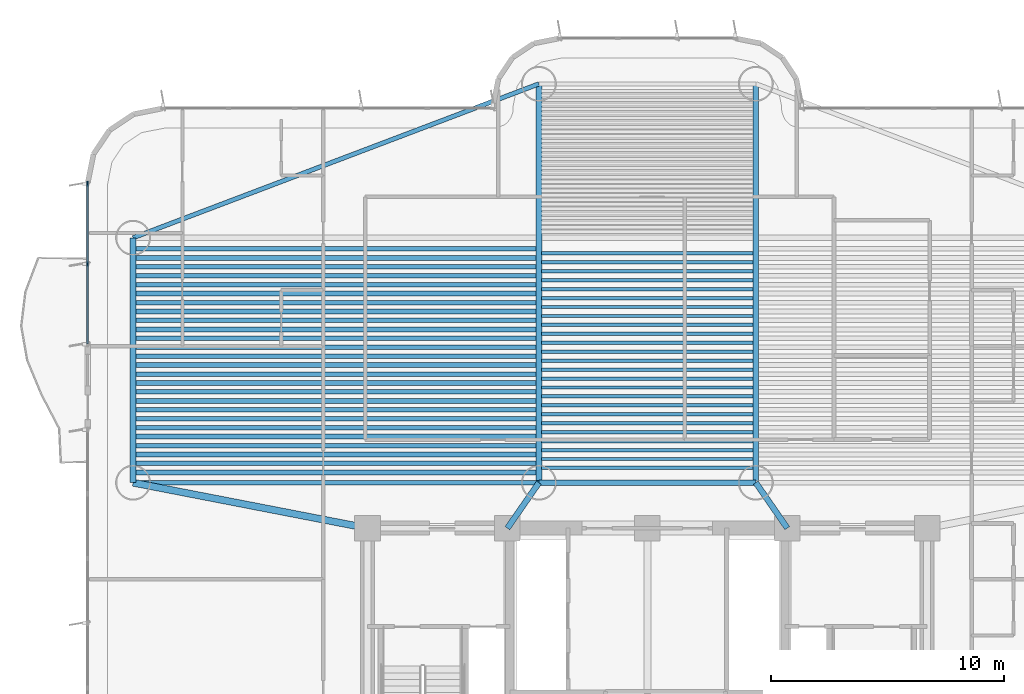
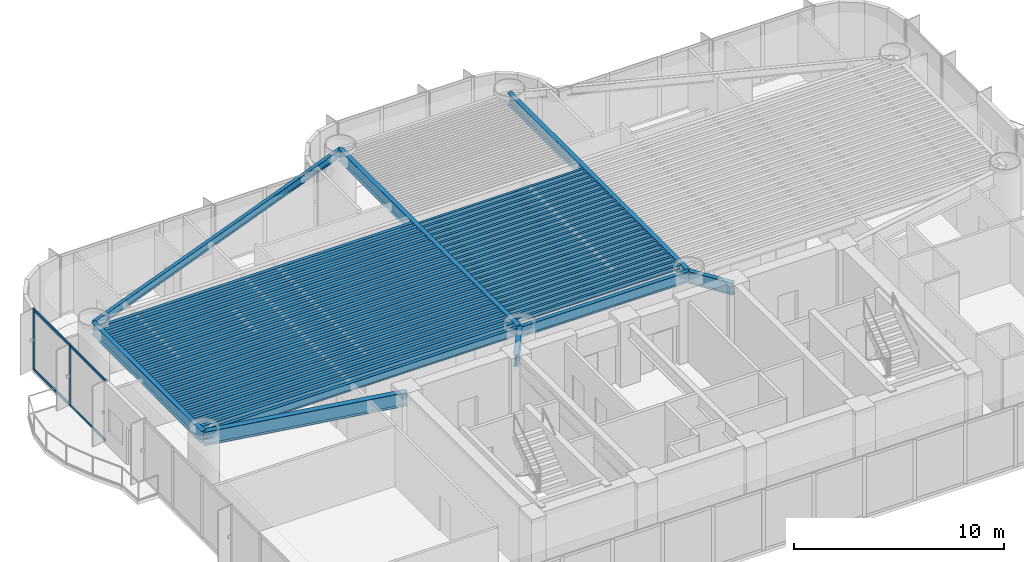
# One storey, part 3 of 18: 60 beams, 6 members, 1 element without a shape of its own.
"""IFC4 building model written with IfcOpenShell, lengths in metres."""

import ifcopenshell
import ifcopenshell.guid

model = None  # the IFC model being written
_history = None  # IfcOwnerHistory: only IFC2X3 demands one
_inside = {}  # id of a spatial element -> (the spatial element, [elements in it])
_under = {}  # id of a project, library or spatial element -> (it, [spatial elements below it])
_declared = {}  # id of a project -> (the project, [libraries it declares])
_typed = {}  # id of a type object -> (the type object, [elements of that type])
_made_of = {}  # id of a material, layer set ... -> (it, [elements and type objects made of it])


def new_model(schema):
    """Start an empty IFC model of exactly this schema.

    Asked for "IFC4X3", IfcOpenShell would pick the latest addendum, in which some entities
    have other attributes; the version numbers below select the first issue.
    IFC2X3 requires an IfcOwnerHistory on every rooted entity: one is made here for all.
    """
    global model, _history
    if schema == "IFC4X3":
        model = ifcopenshell.file(schema_version=(4, 3, 0, 0))
    else:
        model = ifcopenshell.file(schema=schema)
    _inside.clear()
    _under.clear()
    _declared.clear()
    _typed.clear()
    _made_of.clear()
    _history = None
    if model.schema == "IFC2X3":
        org = make("IfcOrganization", Name="unknown")
        user = make(
            "IfcPersonAndOrganization",
            ThePerson=make("IfcPerson", FamilyName="unknown"),
            TheOrganization=org,
        )
        app = make(
            "IfcApplication",
            ApplicationDeveloper=org,
            Version="unknown",
            ApplicationFullName="unknown",
            ApplicationIdentifier="unknown",
        )
        _history = make(
            "IfcOwnerHistory",
            OwningUser=user,
            OwningApplication=app,
            ChangeAction="ADDED",
            CreationDate=0,
        )
    return model


def make(cls, **values):
    """One entity of the class cls with the attributes given. An attribute that is None is left unset."""
    return model.create_entity(
        cls, **{name: value for name, value in values.items() if value is not None}
    )


def rooted(cls, **values):
    """An entity with a GlobalId (a new one), such as an element, a storey or a relation."""
    return make(cls, GlobalId=ifcopenshell.guid.new(), OwnerHistory=_history, **values)


def si_unit(unit_type, name, prefix=None):
    """IfcSIUnit, for example si_unit("LENGTHUNIT", "METRE", prefix="MILLI")."""
    return make("IfcSIUnit", UnitType=unit_type, Prefix=prefix, Name=name)


def assignment(units):
    """IfcUnitAssignment: the units of a project."""
    return None if units is None else make("IfcUnitAssignment", Units=units)


def point(xyz):
    """IfcCartesianPoint."""
    return None if xyz is None else make("IfcCartesianPoint", Coordinates=xyz)


def direction(xyz):
    """IfcDirection."""
    return None if xyz is None else make("IfcDirection", DirectionRatios=xyz)


def frame(location, z_axis=None, x_axis=None):
    """IfcAxis2Placement3D, a coordinate frame: its origin and axes. An axis left out is left unset."""
    return make(
        "IfcAxis2Placement3D",
        Location=point(location),
        Axis=direction(z_axis),
        RefDirection=direction(x_axis),
    )


def frame_2d(location, x_axis=None):
    """IfcAxis2Placement2D, a coordinate frame in the plane: its origin and x axis."""
    return make(
        "IfcAxis2Placement2D", Location=point(location), RefDirection=direction(x_axis)
    )


def origin():
    """The frame at (0, 0, 0) with its axes left unset."""
    return frame((0.0, 0.0, 0.0))


def origin_2d():
    """The frame at (0, 0) in the plane with its x axis left unset."""
    return frame_2d((0.0, 0.0))


def place(relative_to, where):
    """IfcLocalPlacement: puts the frame where relative to a parent placement (None: the world)."""
    return make(
        "IfcLocalPlacement", PlacementRelTo=relative_to, RelativePlacement=where
    )


def context(
    kind, dimensions, precision=None, world=None, true_north=None, identifier=None
):
    """IfcGeometricRepresentationContext, for example the 3D "Model" context."""
    return make(
        "IfcGeometricRepresentationContext",
        ContextIdentifier=identifier,
        ContextType=kind,
        CoordinateSpaceDimension=dimensions,
        Precision=precision,
        WorldCoordinateSystem=world,
        TrueNorth=true_north,
    )


def subcontext(parent, identifier, kind, view, scale=None):
    """IfcGeometricRepresentationSubContext, for example "Body" below "Model"."""
    return make(
        "IfcGeometricRepresentationSubContext",
        ContextIdentifier=identifier,
        ContextType=kind,
        ParentContext=parent,
        TargetScale=scale,
        TargetView=view,
    )


def project(units=None, contexts=None):
    """IfcProject with its units and contexts."""
    return rooted(
        "IfcProject",
        Name="project",
        RepresentationContexts=contexts,
        UnitsInContext=assignment(units),
    )


def spatial(cls, under=None, at=None, **own):
    """A site, building, storey or space (cls), placed at a placement, below another one or the project."""
    s = rooted(cls, ObjectPlacement=at, **own)
    if under is not None:
        _under.setdefault(under.id(), (under, []))[1].append(s)
    return s


def profile(cls, at=None, kind="AREA", **sizes):
    """A parametric profile (cls). Its sizes go by their IFC names, for example OverallWidth=200.0."""
    return make(cls, ProfileType=kind, Position=at, **sizes)


def rectangle(**sizes):
    """IfcRectangleProfileDef."""
    return profile("IfcRectangleProfileDef", **sizes)


def i_section(**sizes):
    """IfcIShapeProfileDef."""
    return profile("IfcIShapeProfileDef", **sizes)


def extrude(swept, where, along, depth):
    """IfcExtrudedAreaSolid: the profile swept, set in the frame where, extruded along a direction by depth."""
    return make(
        "IfcExtrudedAreaSolid",
        SweptArea=swept,
        Position=where,
        ExtrudedDirection=direction(along),
        Depth=depth,
    )


def shape(context_of_items, identifier, shape_type, items):
    """IfcShapeRepresentation: the items that make up one representation, for example the "Body"."""
    return make(
        "IfcShapeRepresentation",
        ContextOfItems=context_of_items,
        RepresentationIdentifier=identifier,
        RepresentationType=shape_type,
        Items=items,
    )


def source(mapping_origin, context_of_items, identifier, shape_type, items):
    """IfcRepresentationMap: a shape defined once, which mapped items show again and again."""
    return make(
        "IfcRepresentationMap",
        MappingOrigin=mapping_origin,
        MappedRepresentation=shape(context_of_items, identifier, shape_type, items),
    )


def transform(
    local_origin,
    x_axis=None,
    y_axis=None,
    z_axis=None,
    scale=None,
    scale2=None,
    scale3=None,
    uniform=True,
):
    """IfcCartesianTransformationOperator3D, or its non-uniform kind. x_axis, y_axis, z_axis: its Axis1, 2, 3."""
    if uniform:
        return make(
            "IfcCartesianTransformationOperator3D",
            Axis1=direction(x_axis),
            Axis2=direction(y_axis),
            LocalOrigin=point(local_origin),
            Scale=scale,
            Axis3=direction(z_axis),
        )
    return make(
        "IfcCartesianTransformationOperator3DnonUniform",
        Axis1=direction(x_axis),
        Axis2=direction(y_axis),
        LocalOrigin=point(local_origin),
        Scale=scale,
        Axis3=direction(z_axis),
        Scale2=scale2,
        Scale3=scale3,
    )


def mapped(mapping_source, mapping_target):
    """IfcMappedItem: shows the shape of a source again, moved by a transform."""
    return make(
        "IfcMappedItem", MappingSource=mapping_source, MappingTarget=mapping_target
    )


def material(Name=None, Category=None):
    """IfcMaterial."""
    return make("IfcMaterial", Name=Name, Category=Category)


def layer(
    of_material, thickness, ventilated=None, Name=None, Category=None, Priority=None
):
    """IfcMaterialLayer: one layer of a wall or slab, of a material (None: an air gap)."""
    return make(
        "IfcMaterialLayer",
        Material=of_material,
        LayerThickness=thickness,
        IsVentilated=ventilated,
        Name=Name,
        Category=Category,
        Priority=Priority,
    )


def layer_set(layers, Name=None):
    """IfcMaterialLayerSet."""
    return make("IfcMaterialLayerSet", MaterialLayers=layers, LayerSetName=Name)


def material_profile(
    of_material, cross_section, Name=None, Category=None, Priority=None
):
    """IfcMaterialProfile: a cross section and its material."""
    return make(
        "IfcMaterialProfile",
        Name=Name,
        Material=of_material,
        Profile=cross_section,
        Priority=Priority,
        Category=Category,
    )


def profile_set(profiles, Name=None, composite=None):
    """IfcMaterialProfileSet."""
    return make(
        "IfcMaterialProfileSet",
        Name=Name,
        MaterialProfiles=profiles,
        CompositeProfile=composite,
    )


def made_of(thing, what):
    """Note that an element or type object is made of a material, layer set ...; save() writes the relation."""
    if what is not None:
        _made_of.setdefault(what.id(), (what, []))[1].append(thing)
    return thing


def type_object(cls, material=None, **own):
    """A type object (cls), such as IfcWallType, which elements share."""
    return made_of(rooted(cls, **own), material)


def element(
    cls,
    number,
    at=None,
    inside=None,
    cuts=None,
    type_object=None,
    material=None,
    context=None,
    identifier="Body",
    shape_type=None,
    held_by="IfcProductDefinitionShape",
    body=None,
    shapes=None,
    **own,
):
    """One element of the class cls, such as IfcWall. Its Tag is "e" and its number.

    at: its placement. inside: the storey or other place that contains it. cuts: it is an
    opening in that element (IfcRelVoidsElement). A single representation is given by context,
    identifier, shape_type and body (its items); several are given by shapes. held_by: the class
    of the entity that holds the representations. save() writes the other relations.
    """
    e = rooted(cls, Tag="e%d" % number, ObjectPlacement=at, **own)
    if body is not None:
        shapes = [shape(context, identifier, shape_type, body)]
    if shapes is not None:
        e.Representation = make(held_by, Representations=shapes)
    if inside is not None:
        _inside.setdefault(inside.id(), (inside, []))[1].append(e)
    if cuts is not None:
        rooted(
            "IfcRelVoidsElement", RelatingBuildingElement=cuts, RelatedOpeningElement=e
        )
    if type_object is not None:
        _typed.setdefault(type_object.id(), (type_object, []))[1].append(e)
    return made_of(e, material)


def aggregate(whole, parts):
    """IfcRelAggregates: a whole, such as a stair, and the parts it consists of."""
    return rooted("IfcRelAggregates", RelatingObject=whole, RelatedObjects=parts)


def save(model, path):
    """Write the relations noted so far, then the file.

    IfcRelAggregates (storeys below a building ...), IfcRelContainedInSpatialStructure (elements
    in a storey), IfcRelDefinesByType, IfcRelAssociatesMaterial and IfcRelDeclares: one each for
    every whole, place, type object, material and project.
    """
    for whole, parts in _under.values():
        aggregate(whole, parts)
    for where, things in _inside.values():
        rooted(
            "IfcRelContainedInSpatialStructure",
            RelatedElements=things,
            RelatingStructure=where,
        )
    for kind, things in _typed.values():
        rooted("IfcRelDefinesByType", RelatedObjects=things, RelatingType=kind)
    for what, things in _made_of.values():
        rooted("IfcRelAssociatesMaterial", RelatedObjects=things, RelatingMaterial=what)
    for by, libraries in _declared.values():
        rooted("IfcRelDeclares", RelatingContext=by, RelatedDefinitions=libraries)
    model.write(path)


model = new_model("IFC4")

# Units and contexts
model_context = context("Model", 3, precision=1e-05, world=origin(), true_north=direction((0.0, 1.0)))
body_context = subcontext(model_context, "Body", "Model", "MODEL_VIEW")
ifc_project = project(units=[si_unit("LENGTHUNIT", "METRE"), si_unit("AREAUNIT", "SQUARE_METRE"), si_unit("VOLUMEUNIT", "CUBIC_METRE"), si_unit("PLANEANGLEUNIT", "RADIAN"), si_unit("MASSUNIT", "GRAM", prefix="KILO")], contexts=[model_context])

# Site, building, storey
site_placement = place(None, origin())
site = spatial("IfcSite", under=ifc_project, at=site_placement, CompositionType="ELEMENT")
building_placement = place(site_placement, origin())
building = spatial("IfcBuilding", under=site, at=building_placement, Name="Brelvock Crest Care Tower", CompositionType="ELEMENT")
storey_placement = place(building_placement, frame((0.0, 0.0, 72.360107421875)))
storey = spatial("IfcBuildingStorey", under=building, at=storey_placement, Name="L18", CompositionType="ELEMENT", Elevation=72.360107421875)

# Beams
ifc_material_1 = material(Name="Steel Grade 350", Category="steel")
ifc_material_profile_1 = material_profile(ifc_material_1, i_section(OverallWidth=0.25, OverallDepth=0.699951171875, WebThickness=0.011962890625, FlangeThickness=0.02001953125, at=origin_2d()), Name="700WB150")
ifc_profile_set_1 = profile_set([ifc_material_profile_1], Name="Steel Grade 350")
beam_type_1 = type_object("IfcBeamType", Name="BM-G4", PredefinedType="BEAM", material=ifc_profile_set_1)
shared_shape_1 = source(origin(), body_context, "Body", "SweptSolid", [
    extrude(i_section(OverallWidth=0.25, OverallDepth=0.699951171875, WebThickness=0.011962890625, FlangeThickness=0.02001953125, at=origin_2d()), origin(), (0.0, 0.0, 1.0), 10.5),
])
beam_1_placement = place(storey_placement, frame((13.949951171875, 19.949951171875, 3.179931640625), z_axis=(0.0, 1.0, 0.0), x_axis=(-1.0, 0.0, 0.0)))
element("IfcBeam", 1, at=beam_1_placement, inside=storey, type_object=beam_type_1, Name="BM-TWR-L18-01", PredefinedType="BEAM", context=body_context, shape_type="MappedRepresentation", body=[
    mapped(shared_shape_1, transform((0.0, 0.0, 0.0), x_axis=(1.0, 0.0, 0.0), y_axis=(0.0, 1.0, 0.0), z_axis=(0.0, 0.0, 1.0), scale=1.0)),
])
ifc_material_profile_2 = material_profile(ifc_material_1, i_section(OverallWidth=0.19091796875, OverallDepth=0.4599609375, WebThickness=0.010009765625, FlangeThickness=0.01611328125, FilletRadius=0.011474609375, at=origin_2d()), Name="460UB82.1")
ifc_profile_set_2 = profile_set([ifc_material_profile_2], Name="Steel Grade 350")
beam_type_2 = type_object("IfcBeamType", Name="BM-SP2", PredefinedType="SPANDREL", material=ifc_profile_set_2)
shared_shape_2 = source(origin(), body_context, "Body", "SweptSolid", [
    extrude(i_section(OverallWidth=0.19091796875, OverallDepth=0.4599609375, WebThickness=0.010009765625, FlangeThickness=0.01611328125, FilletRadius=0.011474609375, at=origin_2d()), origin(), (0.0, 0.0, 1.0), 17.400146484375),
])
beam_2_placement = place(storey_placement, frame((13.949951171875, 19.949951171875, 3.2998046875), z_axis=(1.0, 0.0, 0.0), x_axis=(0.0, 1.0, 0.0)))
element("IfcBeam", 2, at=beam_2_placement, inside=storey, type_object=beam_type_2, Name="BM-TWR-L18-03", PredefinedType="SPANDREL", context=body_context, shape_type="MappedRepresentation", body=[
    mapped(shared_shape_2, transform((0.0, 0.0, 0.0), x_axis=(1.0, 0.0, 0.0), y_axis=(0.0, 1.0, 0.0), z_axis=(0.0, 0.0, 1.0), scale=1.0)),
])
ifc_material_profile_3 = material_profile(ifc_material_1, i_section(OverallWidth=0.22900390625, OverallDepth=0.612060546875, WebThickness=0.011962890625, FlangeThickness=0.01953125, FilletRadius=0.013916015625, at=origin_2d()), Name="610UB125")
ifc_profile_set_3 = profile_set([ifc_material_profile_3], Name="Steel Grade 350")
beam_type_3 = type_object("IfcBeamType", Name="BM-G1", PredefinedType="BEAM", material=ifc_profile_set_3)
shared_shape_3 = source(origin(), body_context, "Body", "SweptSolid", [
    extrude(i_section(OverallWidth=0.22900390625, OverallDepth=0.612060546875, WebThickness=0.011962890625, FlangeThickness=0.01953125, FilletRadius=0.013916015625, at=origin_2d()), origin(), (0.0, 0.0, 1.0), 9.2998046875),
])
beam_3_placement = place(storey_placement, frame((31.35009765625, 19.949951171875, 3.223876953125), z_axis=(1.0, 0.0, 0.0), x_axis=(0.0, 1.0, 0.0)))
element("IfcBeam", 3, at=beam_3_placement, inside=storey, type_object=beam_type_3, Name="BM-TWR-L18-05", PredefinedType="BEAM", context=body_context, shape_type="MappedRepresentation", body=[
    mapped(shared_shape_3, transform((0.0, 0.0, 0.0), x_axis=(1.0, 0.0, 0.0), y_axis=(0.0, 1.0, 0.0), z_axis=(0.0, 0.0, 1.0), scale=1.0)),
])
shared_shape_4 = source(origin(), body_context, "Body", "SweptSolid", [
    extrude(i_section(OverallWidth=0.19091796875, OverallDepth=0.4599609375, WebThickness=0.010009765625, FlangeThickness=0.01611328125, FilletRadius=0.011474609375, at=origin_2d()), origin(), (0.0, 0.0, 1.0), 18.60986328125),
])
beam_4_placement = place(storey_placement, frame((13.949951171875, 30.449951171875, 3.2998046875), z_axis=(0.934996776275, 0.3546562115, 0.0), x_axis=(-0.3546562115, 0.934996776275, 0.0)))
element("IfcBeam", 4, at=beam_4_placement, inside=storey, type_object=beam_type_2, Name="BM-TWR-L18-06", PredefinedType="SPANDREL", context=body_context, shape_type="MappedRepresentation", body=[
    mapped(shared_shape_4, transform((0.0, 0.0, 0.0), x_axis=(1.0, 0.0, 0.0), y_axis=(0.0, 1.0, 0.0), z_axis=(0.0, 0.0, 1.0), scale=1.0)),
])
shared_shape_5 = source(origin(), body_context, "Body", "SweptSolid", [
    extrude(i_section(OverallWidth=0.25, OverallDepth=0.699951171875, WebThickness=0.011962890625, FlangeThickness=0.02001953125, at=origin_2d()), origin(), (0.0, 0.0, 1.0), 17.10009765625),
])
for number, where, z_axis, x_axis, name in (
    (5, (31.35009765625, 19.949951171875, 3.179931640625), (0.0, 1.0, 0.0), (-1.0, 0.0, 0.0), "BM-TWR-L18-09"),
    (6, (40.64990234375, 19.949951171875, 3.179931640625), (0.0, 1.0, 0.0), (-1.0, 0.0, 0.0), "BM-TWR-L18-10"),
):
    element("IfcBeam", number, at=place(storey_placement, frame(where, z_axis=z_axis, x_axis=x_axis)), inside=storey, type_object=beam_type_1, Name=name, PredefinedType="BEAM", context=body_context, shape_type="MappedRepresentation", body=[
        mapped(shared_shape_5, transform((0.0, 0.0, 0.0), x_axis=(1.0, 0.0, 0.0), y_axis=(0.0, 1.0, 0.0), z_axis=(0.0, 0.0, 1.0), scale=1.0)),
    ])
shared_shape_6 = source(origin(), body_context, "Body", "SweptSolid", [
    extrude(i_section(OverallWidth=0.25, OverallDepth=0.699951171875, WebThickness=0.011962890625, FlangeThickness=0.02001953125, at=origin_2d()), origin(), (0.0, 0.0, 1.0), 2.371826171875),
])
for number, where, z_axis, x_axis, name in (
    (7, (30.0, 18.0, 3.179931640625), (0.569247447691, 0.8221662504, 0.0), (-0.8221662504, 0.569247447691, 0.0), "BM-THRW-L18"),
    (8, (42.0, 18.0, 3.179931640625), (-0.569247447691, 0.8221662504, 0.0), (-0.8221662504, -0.569247447691, 0.0), "BM-THRE-L18"),
):
    element("IfcBeam", number, at=place(storey_placement, frame(where, z_axis=z_axis, x_axis=x_axis)), inside=storey, type_object=beam_type_1, Name=name, PredefinedType="BEAM", context=body_context, shape_type="MappedRepresentation", body=[
        mapped(shared_shape_6, transform((0.0, 0.0, 0.0), x_axis=(1.0, 0.0, 0.0), y_axis=(0.0, 1.0, 0.0), z_axis=(0.0, 0.0, 1.0), scale=1.0)),
    ])
ifc_material_profile_4 = material_profile(ifc_material_1, i_section(OverallWidth=0.300048828125, OverallDepth=0.800048828125, WebThickness=0.013916015625, FlangeThickness=0.02197265625, at=origin_2d()), Name="800WB192")
ifc_profile_set_4 = profile_set([ifc_material_profile_4], Name="Steel Grade 350")
beam_type_4 = type_object("IfcBeamType", Name="BM-G5", PredefinedType="BEAM", material=ifc_profile_set_4)
shared_shape_7 = source(origin(), body_context, "Body", "SweptSolid", [
    extrude(i_section(OverallWidth=0.300048828125, OverallDepth=0.800048828125, WebThickness=0.013916015625, FlangeThickness=0.02197265625, at=origin_2d()), origin(), (0.0, 0.0, 1.0), 10.237548828125),
])
beam_5_placement = place(storey_placement, frame((24.0, 18.0, 3.1298828125), z_axis=(-0.981692632568, 0.190471979991, 0.0), x_axis=(-0.190471979991, -0.981692632568, 0.0)))
element("IfcBeam", 9, at=beam_5_placement, inside=storey, type_object=beam_type_4, Name="BM-THRO-W-L18", PredefinedType="BEAM", context=body_context, shape_type="MappedRepresentation", body=[
    mapped(shared_shape_7, transform((0.0, 0.0, 0.0), x_axis=(1.0, 0.0, 0.0), y_axis=(0.0, 1.0, 0.0), z_axis=(0.0, 0.0, 1.0), scale=1.0)),
])
ifc_material_profile_5 = material_profile(ifc_material_1, i_section(OverallWidth=0.208984375, OverallDepth=0.532958984375, WebThickness=0.01025390625, FlangeThickness=0.015625, FilletRadius=0.013916015625, at=origin_2d()), Name="530UB92.4")
ifc_profile_set_5 = profile_set([ifc_material_profile_5], Name="Steel Grade 350")
beam_type_5 = type_object("IfcBeamType", Name="BM-G2", PredefinedType="BEAM", material=ifc_profile_set_5)
shared_shape_8 = source(origin(), body_context, "Body", "SweptSolid", [
    extrude(i_section(OverallWidth=0.208984375, OverallDepth=0.532958984375, WebThickness=0.01025390625, FlangeThickness=0.015625, FilletRadius=0.013916015625, at=origin_2d()), origin(), (0.0, 0.0, 1.0), 17.170166015625),
])
for number, where, z_axis, x_axis, name in (
    (10, (14.06494140625, 20.39111328125, 3.263427734375), (1.0, 0.0, 0.0), (0.0, 1.0, 0.0), "BM-JW-L18-1"),
    (11, (14.06494140625, 21.157470703125, 3.263427734375), (1.0, 0.0, 0.0), (0.0, 1.0, 0.0), "BM-JW-L18-3"),
    (12, (14.06494140625, 21.924072265625, 3.263427734375), (1.0, 0.0, 0.0), (0.0, 1.0, 0.0), "BM-JW-L18-5"),
    (13, (14.06494140625, 22.6904296875, 3.263427734375), (1.0, 0.0, 0.0), (0.0, 1.0, 0.0), "BM-JW-L18-7"),
    (14, (14.06494140625, 23.45703125, 3.263427734375), (1.0, 0.0, 0.0), (0.0, 1.0, 0.0), "BM-JW-L18-9"),
    (15, (14.06494140625, 24.223388671875, 3.263427734375), (1.0, 0.0, 0.0), (0.0, 1.0, 0.0), "BM-JW-L18-11"),
    (16, (14.06494140625, 24.989990234375, 3.263427734375), (1.0, 0.0, 0.0), (0.0, 1.0, 0.0), "BM-JW-L18-13"),
    (17, (14.06494140625, 25.756591796875, 3.263427734375), (1.0, 0.0, 0.0), (0.0, 1.0, 0.0), "BM-JW-L18-15"),
    (18, (14.06494140625, 26.52294921875, 3.263427734375), (1.0, 0.0, 0.0), (0.0, 1.0, 0.0), "BM-JW-L18-17"),
    (19, (14.06494140625, 27.28955078125, 3.263427734375), (1.0, 0.0, 0.0), (0.0, 1.0, 0.0), "BM-JW-L18-19"),
    (20, (14.06494140625, 28.055908203125, 3.263427734375), (1.0, 0.0, 0.0), (0.0, 1.0, 0.0), "BM-JW-L18-21"),
    (21, (14.06494140625, 28.822509765625, 3.263427734375), (1.0, 0.0, 0.0), (0.0, 1.0, 0.0), "BM-JW-L18-23"),
    (22, (14.06494140625, 29.589111328125, 3.263427734375), (1.0, 0.0, 0.0), (0.0, 1.0, 0.0), "BM-JW-L18-25"),
):
    element("IfcBeam", number, at=place(storey_placement, frame(where, z_axis=z_axis, x_axis=x_axis)), inside=storey, type_object=beam_type_5, Name=name, PredefinedType="BEAM", context=body_context, shape_type="MappedRepresentation", body=[
        mapped(shared_shape_8, transform((0.0, 0.0, 0.0), x_axis=(1.0, 0.0, 0.0), y_axis=(0.0, 1.0, 0.0), z_axis=(0.0, 0.0, 1.0), scale=1.0)),
    ])
ifc_material_profile_6 = material_profile(ifc_material_1, i_section(OverallWidth=0.14599609375, OverallDepth=0.256103515625, WebThickness=0.00634765625, FlangeThickness=0.010986328125, FilletRadius=0.0087890625, at=origin_2d()), Name="250UB37.3")
ifc_profile_set_6 = profile_set([ifc_material_profile_6], Name="Steel Grade 350")
beam_type_6 = type_object("IfcBeamType", Name="BM-J3", PredefinedType="JOIST", material=ifc_profile_set_6)
shared_shape_9 = source(origin(), body_context, "Body", "SweptSolid", [
    extrude(i_section(OverallWidth=0.14599609375, OverallDepth=0.256103515625, WebThickness=0.00634765625, FlangeThickness=0.010986328125, FilletRadius=0.0087890625, at=origin_2d()), origin(), (0.0, 0.0, 1.0), 9.06982421875),
])
for number, where, z_axis, x_axis, name in (
    (23, (31.465087890625, 20.58251953125, 3.40185546875), (1.0, 0.0, 0.0), (0.0, 1.0, 0.0), "BM-JH-L18-1"),
    (24, (31.465087890625, 20.9658203125, 3.40185546875), (1.0, 0.0, 0.0), (0.0, 1.0, 0.0), "BM-JH-L18-2"),
    (25, (31.465087890625, 21.34912109375, 3.40185546875), (1.0, 0.0, 0.0), (0.0, 1.0, 0.0), "BM-JH-L18-3"),
    (26, (31.465087890625, 21.732421875, 3.40185546875), (1.0, 0.0, 0.0), (0.0, 1.0, 0.0), "BM-JH-L18-4"),
    (27, (31.465087890625, 22.115478515625, 3.40185546875), (1.0, 0.0, 0.0), (0.0, 1.0, 0.0), "BM-JH-L18-5"),
    (28, (31.465087890625, 22.498779296875, 3.40185546875), (1.0, 0.0, 0.0), (0.0, 1.0, 0.0), "BM-JH-L18-6"),
    (29, (31.465087890625, 22.882080078125, 3.40185546875), (1.0, 0.0, 0.0), (0.0, 1.0, 0.0), "BM-JH-L18-7"),
    (30, (31.465087890625, 23.265380859375, 3.40185546875), (1.0, 0.0, 0.0), (0.0, 1.0, 0.0), "BM-JH-L18-8"),
    (31, (31.465087890625, 23.648681640625, 3.40185546875), (1.0, 0.0, 0.0), (0.0, 1.0, 0.0), "BM-JH-L18-9"),
    (32, (31.465087890625, 24.03173828125, 3.40185546875), (1.0, 0.0, 0.0), (0.0, 1.0, 0.0), "BM-JH-L18-10"),
    (33, (31.465087890625, 24.4150390625, 3.40185546875), (1.0, 0.0, 0.0), (0.0, 1.0, 0.0), "BM-JH-L18-11"),
    (34, (31.465087890625, 24.79833984375, 3.40185546875), (1.0, 0.0, 0.0), (0.0, 1.0, 0.0), "BM-JH-L18-12"),
    (35, (31.465087890625, 25.181640625, 3.40185546875), (1.0, 0.0, 0.0), (0.0, 1.0, 0.0), "BM-JH-L18-13"),
    (36, (31.465087890625, 25.564697265625, 3.40185546875), (1.0, 0.0, 0.0), (0.0, 1.0, 0.0), "BM-JH-L18-14"),
    (37, (31.465087890625, 25.947998046875, 3.40185546875), (1.0, 0.0, 0.0), (0.0, 1.0, 0.0), "BM-JH-L18-15"),
    (38, (31.465087890625, 26.331298828125, 3.40185546875), (1.0, 0.0, 0.0), (0.0, 1.0, 0.0), "BM-JH-L18-16"),
    (39, (31.465087890625, 26.714599609375, 3.40185546875), (1.0, 0.0, 0.0), (0.0, 1.0, 0.0), "BM-JH-L18-17"),
    (40, (31.465087890625, 27.097900390625, 3.40185546875), (1.0, 0.0, 0.0), (0.0, 1.0, 0.0), "BM-JH-L18-18"),
    (41, (31.465087890625, 27.481201171875, 3.40185546875), (1.0, 0.0, 0.0), (0.0, 1.0, 0.0), "BM-JH-L18-19"),
    (42, (31.465087890625, 27.864501953125, 3.40185546875), (1.0, 0.0, 0.0), (0.0, 1.0, 0.0), "BM-JH-L18-20"),
    (43, (31.465087890625, 28.24755859375, 3.40185546875), (1.0, 0.0, 0.0), (0.0, 1.0, 0.0), "BM-JH-L18-21"),
    (44, (31.465087890625, 28.630859375, 3.40185546875), (1.0, 0.0, 0.0), (0.0, 1.0, 0.0), "BM-JH-L18-22"),
    (45, (31.465087890625, 29.01416015625, 3.40185546875), (1.0, 0.0, 0.0), (0.0, 1.0, 0.0), "BM-JH-L18-23"),
    (46, (31.465087890625, 29.397216796875, 3.40185546875), (1.0, 0.0, 0.0), (0.0, 1.0, 0.0), "BM-JH-L18-24"),
    (47, (31.465087890625, 29.780517578125, 3.40185546875), (1.0, 0.0, 0.0), (0.0, 1.0, 0.0), "BM-JH-L18-25"),
):
    element("IfcBeam", number, at=place(storey_placement, frame(where, z_axis=z_axis, x_axis=x_axis)), inside=storey, type_object=beam_type_6, Name=name, PredefinedType="JOIST", context=body_context, shape_type="MappedRepresentation", body=[
        mapped(shared_shape_9, transform((0.0, 0.0, 0.0), x_axis=(1.0, 0.0, 0.0), y_axis=(0.0, 1.0, 0.0), z_axis=(0.0, 0.0, 1.0), scale=1.0)),
    ])
ifc_material_profile_7 = material_profile(ifc_material_1, i_section(OverallWidth=0.19091796875, OverallDepth=0.4599609375, WebThickness=0.010009765625, FlangeThickness=0.01611328125, FilletRadius=0.011474609375, at=origin_2d()), Name="460UB82.1")
ifc_profile_set_7 = profile_set([ifc_material_profile_7], Name="Steel Grade 350")
beam_type_7 = type_object("IfcBeamType", Name="BM-G3", PredefinedType="BEAM", material=ifc_profile_set_7)
shared_shape_10 = source(origin(), body_context, "Body", "SweptSolid", [
    extrude(i_section(OverallWidth=0.19091796875, OverallDepth=0.4599609375, WebThickness=0.010009765625, FlangeThickness=0.01611328125, FilletRadius=0.011474609375, at=origin_2d()), origin(), (0.0, 0.0, 1.0), 17.170166015625),
])
for number, where, z_axis, x_axis, name in (
    (48, (14.06494140625, 20.774169921875, 3.2998046875), (1.0, 0.0, 0.0), (0.0, 1.0, 0.0), "BM-JW-L18-2"),
    (49, (14.06494140625, 21.540771484375, 3.2998046875), (1.0, 0.0, 0.0), (0.0, 1.0, 0.0), "BM-JW-L18-4"),
    (50, (14.06494140625, 22.30712890625, 3.2998046875), (1.0, 0.0, 0.0), (0.0, 1.0, 0.0), "BM-JW-L18-6"),
    (51, (14.06494140625, 23.07373046875, 3.2998046875), (1.0, 0.0, 0.0), (0.0, 1.0, 0.0), "BM-JW-L18-8"),
    (52, (14.06494140625, 23.840087890625, 3.2998046875), (1.0, 0.0, 0.0), (0.0, 1.0, 0.0), "BM-JW-L18-10"),
    (53, (14.06494140625, 24.606689453125, 3.2998046875), (1.0, 0.0, 0.0), (0.0, 1.0, 0.0), "BM-JW-L18-12"),
    (54, (14.06494140625, 25.373291015625, 3.2998046875), (1.0, 0.0, 0.0), (0.0, 1.0, 0.0), "BM-JW-L18-14"),
    (55, (14.06494140625, 26.1396484375, 3.2998046875), (1.0, 0.0, 0.0), (0.0, 1.0, 0.0), "BM-JW-L18-16"),
    (56, (14.06494140625, 26.90625, 3.2998046875), (1.0, 0.0, 0.0), (0.0, 1.0, 0.0), "BM-JW-L18-18"),
    (57, (14.06494140625, 27.6728515625, 3.2998046875), (1.0, 0.0, 0.0), (0.0, 1.0, 0.0), "BM-JW-L18-20"),
    (58, (14.06494140625, 28.439208984375, 3.2998046875), (1.0, 0.0, 0.0), (0.0, 1.0, 0.0), "BM-JW-L18-22"),
    (59, (14.06494140625, 29.205810546875, 3.2998046875), (1.0, 0.0, 0.0), (0.0, 1.0, 0.0), "BM-JW-L18-24"),
    (60, (14.06494140625, 29.97216796875, 3.2998046875), (1.0, 0.0, 0.0), (0.0, 1.0, 0.0), "BM-JW-L18-26"),
):
    element("IfcBeam", number, at=place(storey_placement, frame(where, z_axis=z_axis, x_axis=x_axis)), inside=storey, type_object=beam_type_7, Name=name, PredefinedType="BEAM", context=body_context, shape_type="MappedRepresentation", body=[
        mapped(shared_shape_10, transform((0.0, 0.0, 0.0), x_axis=(1.0, 0.0, 0.0), y_axis=(0.0, 1.0, 0.0), z_axis=(0.0, 0.0, 1.0), scale=1.0)),
    ])

# Curtain wall, members
ifc_material_2 = material(Name="Dark Glass Double Glazed Low-E", Category="glass")
ifc_layer = layer(ifc_material_2, 0.195068359375, Name="CWS-2")
ifc_layer_set = layer_set([ifc_layer], Name="Dark Glass Double Glazed Low-E")
curtain_wall_type = type_object("IfcCurtainWallType", Name="CWS-2", PredefinedType="NOTDEFINED", material=ifc_layer_set)
curtain_wall_placement = place(storey_placement, origin())
curtain_wall = element("IfcCurtainWall", 61, at=curtain_wall_placement, inside=storey, type_object=curtain_wall_type, Name="L18 Curtain Wall E13B", PredefinedType="NOTDEFINED")
ifc_material_3 = material(Name="Aluminium 6063-T6", Category="aluminium")
ifc_material_profile_8 = material_profile(ifc_material_3, rectangle(XDim=0.06494140625, YDim=0.199951171875, at=origin_2d()), Name="ALU65x200")
ifc_profile_set_8 = profile_set([ifc_material_profile_8], Name="Aluminium 6063-T6")
member_type_1 = type_object("IfcMemberType", Name="CWM-1", PredefinedType="MULLION", material=ifc_profile_set_8)
shared_shape_11 = source(origin(), body_context, "Body", "SweptSolid", [
    extrude(rectangle(XDim=0.06494140625, YDim=0.199951171875, at=origin_2d()), origin(), (0.0, 0.0, 1.0), 3.52978515625),
])
member_1_placement = place(storey_placement, frame((12.0, 29.324951171875, 0.0), z_axis=(0.0, 0.0, 1.0), x_axis=(-1.0, 0.0, 0.0)))
member_1 = element("IfcMember", 62, at=member_1_placement, type_object=member_type_1, Name="CW-2 mullion 2", PredefinedType="MULLION", context=body_context, shape_type="MappedRepresentation", body=[
    mapped(shared_shape_11, transform((0.0, 0.0, 0.0), x_axis=(1.0, 0.0, 0.0), y_axis=(0.0, 1.0, 0.0), z_axis=(0.0, 0.0, 1.0), scale=1.0)),
])
member_2_placement = place(storey_placement, frame((12.0, 32.767578125, 0.0), z_axis=(0.0, 0.0, 1.0), x_axis=(-1.0, 0.0, 0.0)))
member_2 = element("IfcMember", 63, at=member_2_placement, type_object=member_type_1, Name="CW-2 mullion 3", PredefinedType="MULLION", context=body_context, shape_type="MappedRepresentation", body=[
    mapped(shared_shape_11, transform((0.0, 0.0, 0.0), x_axis=(1.0, 0.0, 0.0), y_axis=(0.0, 1.0, 0.0), z_axis=(0.0, 0.0, 1.0), scale=1.0)),
])
ifc_material_profile_9 = material_profile(ifc_material_3, rectangle(XDim=0.06494140625, YDim=0.14990234375, at=origin_2d()), Name="ALU65x150")
ifc_profile_set_9 = profile_set([ifc_material_profile_9], Name="Aluminium 6063-T6")
member_type_2 = type_object("IfcMemberType", Name="CWT-1", PredefinedType="USERDEFINED", material=ifc_profile_set_9)
shared_shape_12 = source(origin(), body_context, "Body", "SweptSolid", [
    extrude(rectangle(XDim=0.06494140625, YDim=0.14990234375, at=origin_2d()), origin(), (0.0, 0.0, 1.0), 3.377685546875),
])
member_3_placement = place(storey_placement, frame((12.0, 29.357421875, 0.032470703125), z_axis=(0.0, 1.0, 0.0), x_axis=(-1.0, 0.0, 0.0)))
member_3 = element("IfcMember", 64, at=member_3_placement, type_object=member_type_2, Name="CW-2 transom 2.1", ObjectType="TRANSOM", PredefinedType="USERDEFINED", context=body_context, shape_type="MappedRepresentation", body=[
    mapped(shared_shape_12, transform((0.0, 0.0, 0.0), x_axis=(1.0, 0.0, 0.0), y_axis=(0.0, 1.0, 0.0), z_axis=(0.0, 0.0, 1.0), scale=1.0)),
])
member_4_placement = place(storey_placement, frame((12.0, 29.357421875, 3.497314453125), z_axis=(0.0, 1.0, 0.0), x_axis=(-1.0, 0.0, 0.0)))
member_4 = element("IfcMember", 65, at=member_4_placement, type_object=member_type_2, Name="CW-2 transom 2.2", ObjectType="TRANSOM", PredefinedType="USERDEFINED", context=body_context, shape_type="MappedRepresentation", body=[
    mapped(shared_shape_12, transform((0.0, 0.0, 0.0), x_axis=(1.0, 0.0, 0.0), y_axis=(0.0, 1.0, 0.0), z_axis=(0.0, 0.0, 1.0), scale=1.0)),
])
shared_shape_13 = source(origin(), body_context, "Body", "SweptSolid", [
    extrude(rectangle(XDim=0.06494140625, YDim=0.14990234375, at=origin_2d()), origin(), (0.0, 0.0, 1.0), 3.37744140625),
])
member_5_placement = place(storey_placement, frame((12.0, 25.9150390625, 0.032470703125), z_axis=(0.0, 1.0, 0.0), x_axis=(-1.0, 0.0, 0.0)))
member_5 = element("IfcMember", 66, at=member_5_placement, type_object=member_type_2, Name="CW-2 transom 1.1", ObjectType="TRANSOM", PredefinedType="USERDEFINED", context=body_context, shape_type="MappedRepresentation", body=[
    mapped(shared_shape_13, transform((0.0, 0.0, 0.0), x_axis=(1.0, 0.0, 0.0), y_axis=(0.0, 1.0, 0.0), z_axis=(0.0, 0.0, 1.0), scale=1.0)),
])
member_6_placement = place(storey_placement, frame((12.0, 25.9150390625, 3.497314453125), z_axis=(0.0, 1.0, 0.0), x_axis=(-1.0, 0.0, 0.0)))
member_6 = element("IfcMember", 67, at=member_6_placement, type_object=member_type_2, Name="CW-2 transom 1.2", ObjectType="TRANSOM", PredefinedType="USERDEFINED", context=body_context, shape_type="MappedRepresentation", body=[
    mapped(shared_shape_13, transform((0.0, 0.0, 0.0), x_axis=(1.0, 0.0, 0.0), y_axis=(0.0, 1.0, 0.0), z_axis=(0.0, 0.0, 1.0), scale=1.0)),
])
aggregate(curtain_wall, [member_1, member_2, member_5, member_6, member_3, member_4])

save(model, "model.ifc")
